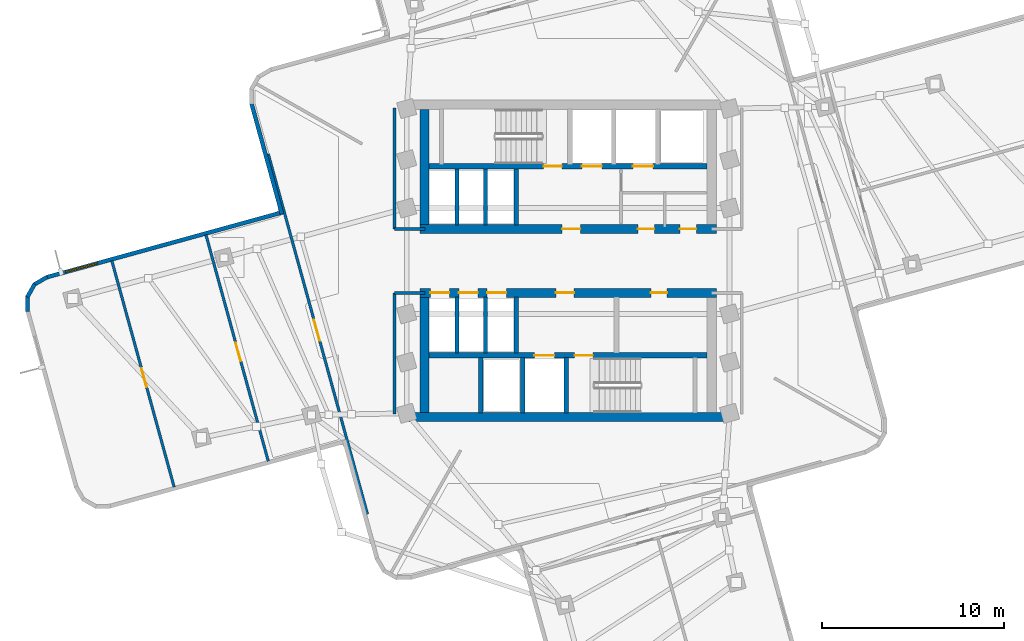
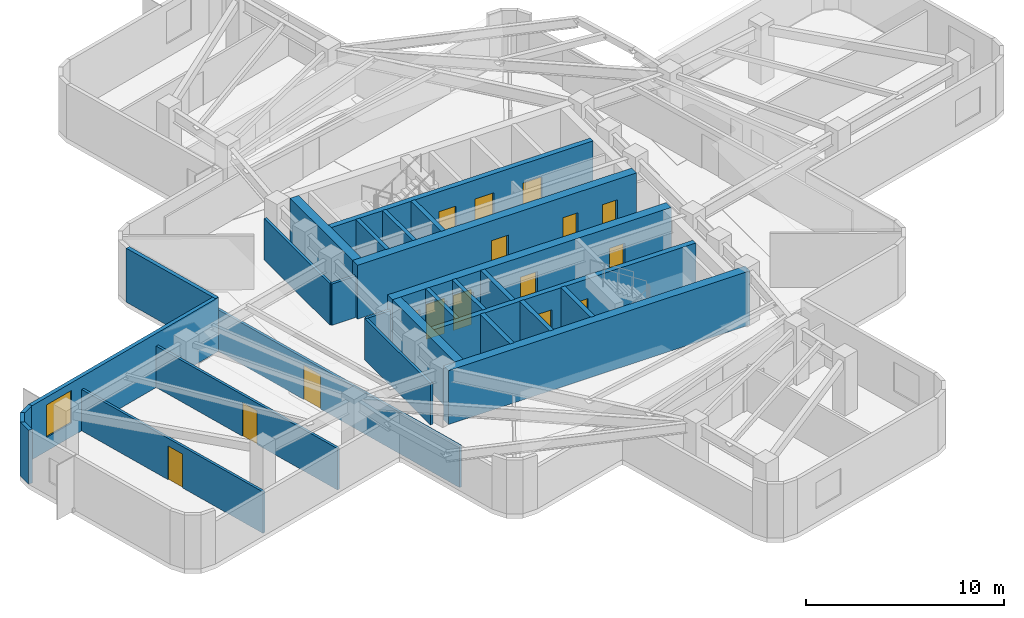
# One storey, part 3 of 8: 28 walls, 16 doors, 1 window, 17 openings.
"""IFC4 building model written with IfcOpenShell, lengths in metres."""

from ifc_helpers import new_model, si_unit, direction, frame, frame_2d, origin, place, context, subcontext, project, spatial, rectangle, extrude, material, layer, layer_set, type_object, element, fill, save


model = new_model("IFC4")

# Units and contexts
model_context = context("Model", 3, precision=1e-05, world=origin(), true_north=direction((0.0, 1.0)))
body_context = subcontext(model_context, "Body", "Model", "MODEL_VIEW")
ifc_project = project(units=[si_unit("LENGTHUNIT", "METRE"), si_unit("AREAUNIT", "SQUARE_METRE"), si_unit("VOLUMEUNIT", "CUBIC_METRE"), si_unit("PLANEANGLEUNIT", "RADIAN"), si_unit("MASSUNIT", "GRAM", prefix="KILO")], contexts=[model_context])

# Site, building, storey
site_placement = place(None, origin())
site = spatial("IfcSite", under=ifc_project, at=site_placement, CompositionType="ELEMENT")
building_placement = place(site_placement, origin())
building = spatial("IfcBuilding", under=site, at=building_placement, Name="Solmarez Civic Tower", CompositionType="ELEMENT")
storey_placement = place(building_placement, frame((0.0, 0.0, 137.8798828125)))
storey = spatial("IfcBuildingStorey", under=building, at=storey_placement, Name="L36", CompositionType="ELEMENT", Elevation=137.8798828125)

# Wall, openings, doors
ifc_material_1 = material(Name="Concrete C60/75", Category="concrete")
ifc_layer_1 = layer(ifc_material_1, 0.5)
ifc_layer_set_1 = layer_set([ifc_layer_1], Name="Concrete C60/75")
wall_type_1 = type_object("IfcWallType", Name="WALL-CORE-500", PredefinedType="SHEAR", material=ifc_layer_set_1)
wall_1_placement = place(storey_placement, frame((8.1201171875, 1.75, 0.0), z_axis=(0.0, 0.0, 1.0), x_axis=(-1.0, 0.0, 0.0)))
wall_1 = element("IfcWall", 1, at=wall_1_placement, inside=storey, type_object=wall_type_1, Name="L36 Split-Core Structural Wall NCW-S-L36", PredefinedType="SHEAR", context=body_context, shape_type="SweptSolid", body=[
    extrude(rectangle(XDim=16.240234375, YDim=0.5, at=frame_2d((8.1201171875, 0.0))), origin(), (0.0, 0.0, 1.0), 3.320068359375),
])
opening_1_placement = place(wall_1_placement, frame((7.449951171875, 0.0, 0.0)))
opening_1 = element("IfcOpeningElement", 2, at=opening_1_placement, cuts=wall_1, Name="Opening D-04", PredefinedType="OPENING", context=body_context, shape_type="SweptSolid", body=[
    extrude(rectangle(XDim=1.0, YDim=2.10009765625, at=frame_2d((0.5, 1.050048828125))), frame((0.0, 0.260009765625, 0.0), z_axis=(0.0, -1.0, 0.0), x_axis=(1.0, 0.0, 0.0)), (0.0, 0.0, 1.0), 0.52001953125),
])
opening_2_placement = place(wall_1_placement, frame((3.39990234375, 0.0, 0.0)))
opening_2 = element("IfcOpeningElement", 3, at=opening_2_placement, cuts=wall_1, Name="Opening D-09", PredefinedType="OPENING", context=body_context, shape_type="SweptSolid", body=[
    extrude(rectangle(XDim=0.89990234375, YDim=2.06005859375, at=frame_2d((0.449951171875, 1.030029296875))), frame((0.0, 0.260009765625, 0.0), z_axis=(0.0, -1.0, 0.0), x_axis=(1.0, 0.0, 0.0)), (0.0, 0.0, 1.0), 0.52001953125),
])
opening_3_placement = place(wall_1_placement, frame((1.10009765625, 0.0, 0.0)))
opening_3 = element("IfcOpeningElement", 4, at=opening_3_placement, cuts=wall_1, Name="Opening D-09", PredefinedType="OPENING", context=body_context, shape_type="SweptSolid", body=[
    extrude(rectangle(XDim=0.89990234375, YDim=2.06005859375, at=frame_2d((0.449951171875, 1.030029296875))), frame((0.0, 0.260009765625, 0.0), z_axis=(0.0, -1.0, 0.0), x_axis=(1.0, 0.0, 0.0)), (0.0, 0.0, 1.0), 0.52001953125),
])
ifc_material_2 = material(Name="Steel-Faced Acoustic Fire Door", Category="steel")
door_type_1 = type_object("IfcDoorType", Name="DOOR-FD60-1000", OperationType="NOTDEFINED", PredefinedType="DOOR", material=ifc_material_2)
door_1_placement = place(opening_1_placement, origin())
door_1 = element("IfcDoor", 5, at=door_1_placement, inside=storey, type_object=door_type_1, Name="L36 North Firefighting Lobby Door", OperationType="SINGLE_SWING_LEFT", OverallHeight=2.10009765625, OverallWidth=1.0, PredefinedType="DOOR", context=body_context, shape_type="SweptSolid", body=[
    extrude(rectangle(XDim=1.0, YDim=2.10009765625, at=frame_2d((0.5, 1.050048828125))), frame((0.0, 0.02490234375, 0.0), z_axis=(0.0, -1.0, 0.0), x_axis=(1.0, 0.0, 0.0)), (0.0, 0.0, 1.0), 0.050048828125),
])
fill(opening_1, door_1)
ifc_material_3 = material(Name="Fire-Rated Service Core Door", Category="wood")
door_type_2 = type_object("IfcDoorType", Name="DOOR-FD60-900", OperationType="NOTDEFINED", PredefinedType="DOOR", material=ifc_material_3)
door_2_placement = place(opening_2_placement, origin())
door_2 = element("IfcDoor", 6, at=door_2_placement, inside=storey, type_object=door_type_2, Name="L36 Core WC Door", OperationType="SINGLE_SWING_LEFT", OverallHeight=2.06005859375, OverallWidth=0.89990234375, PredefinedType="DOOR", context=body_context, shape_type="SweptSolid", body=[
    extrude(rectangle(XDim=0.89990234375, YDim=2.06005859375, at=frame_2d((0.449951171875, 1.030029296875))), frame((0.0, 0.02490234375, 0.0), z_axis=(0.0, -1.0, 0.0), x_axis=(1.0, 0.0, 0.0)), (0.0, 0.0, 1.0), 0.050048828125),
])
fill(opening_2, door_2)
door_3_placement = place(opening_3_placement, origin())
door_3 = element("IfcDoor", 7, at=door_3_placement, inside=storey, type_object=door_type_2, Name="L36 Core CL Door", OperationType="SINGLE_SWING_RIGHT", OverallHeight=2.06005859375, OverallWidth=0.89990234375, PredefinedType="DOOR", context=body_context, shape_type="SweptSolid", body=[
    extrude(rectangle(XDim=0.89990234375, YDim=2.06005859375, at=frame_2d((0.449951171875, 1.030029296875))), frame((0.0, 0.02490234375, 0.0), z_axis=(0.0, -1.0, 0.0), x_axis=(1.0, 0.0, 0.0)), (0.0, 0.0, 1.0), 0.050048828125),
])
fill(opening_3, door_3)

# Walls
wall_2_placement = place(storey_placement, frame((-7.8701171875, 2.0, 0.0), z_axis=(0.0, 0.0, 1.0), x_axis=(0.0, 1.0, 0.0)))
element("IfcWall", 8, at=wall_2_placement, inside=storey, type_object=wall_type_1, Name="L36 Split-Core Structural Wall NCW-W-L36", PredefinedType="SHEAR", context=body_context, shape_type="SweptSolid", body=[
    extrude(rectangle(XDim=6.31005859375, YDim=0.5, at=frame_2d((3.155029296875, 0.0))), origin(), (0.0, 0.0, 1.0), 3.320068359375),
])
wall_3_placement = place(storey_placement, frame((8.780029296875, -8.56005859375, 0.0), z_axis=(0.0, 0.0, 1.0), x_axis=(-1.0, 0.0, 0.0)))
element("IfcWall", 9, at=wall_3_placement, inside=storey, type_object=wall_type_1, Name="L36 Split-Core Structural Wall SCW-S-L36", PredefinedType="SHEAR", context=body_context, shape_type="SweptSolid", body=[
    extrude(rectangle(XDim=17.56005859375, YDim=0.5, at=frame_2d((8.780029296875, 0.0))), origin(), (0.0, 0.0, 1.0), 3.320068359375),
])

# Wall, openings, doors
wall_4_placement = place(storey_placement, frame((-8.1201171875, -1.75, 0.0), z_axis=(0.0, 0.0, 1.0), x_axis=(1.0, 0.0, 0.0)))
wall_4 = element("IfcWall", 10, at=wall_4_placement, inside=storey, type_object=wall_type_1, Name="L36 Split-Core Structural Wall SCW-N-L36", PredefinedType="SHEAR", context=body_context, shape_type="SweptSolid", body=[
    extrude(rectangle(XDim=16.240234375, YDim=0.5, at=frame_2d((8.1201171875, 0.0))), origin(), (0.0, 0.0, 1.0), 3.320068359375),
])
opening_4_placement = place(wall_4_placement, frame((7.449951171875, 0.0, 0.0)))
opening_4 = element("IfcOpeningElement", 11, at=opening_4_placement, cuts=wall_4, Name="Opening D-04", PredefinedType="OPENING", context=body_context, shape_type="SweptSolid", body=[
    extrude(rectangle(XDim=1.0, YDim=2.10009765625, at=frame_2d((0.5, 1.050048828125))), frame((0.0, 0.260009765625, 0.0), z_axis=(0.0, -1.0, 0.0), x_axis=(1.0, 0.0, 0.0)), (0.0, 0.0, 1.0), 0.52001953125),
])
opening_5_placement = place(wall_4_placement, frame((12.64990234375, 0.0, 0.0)))
opening_5 = element("IfcOpeningElement", 12, at=opening_5_placement, cuts=wall_4, Name="Opening D-09", PredefinedType="OPENING", context=body_context, shape_type="SweptSolid", body=[
    extrude(rectangle(XDim=0.89990234375, YDim=2.06005859375, at=frame_2d((0.449951171875, 1.030029296875))), frame((0.0, 0.260009765625, 0.0), z_axis=(0.0, -1.0, 0.0), x_axis=(1.0, 0.0, 0.0)), (0.0, 0.0, 1.0), 0.52001953125),
])
opening_6_placement = place(wall_4_placement, frame((0.56494140625, 0.0, 0.0)))
opening_6 = element("IfcOpeningElement", 13, at=opening_6_placement, cuts=wall_4, Name="Opening LD-01", PredefinedType="OPENING", context=body_context, shape_type="SweptSolid", body=[
    extrude(rectangle(XDim=1.050048828125, YDim=2.14990234375, at=frame_2d((0.52490234375, 1.074951171875))), frame((0.0, 0.260009765625, 0.0), z_axis=(0.0, -1.0, 0.0), x_axis=(1.0, 0.0, 0.0)), (0.0, 0.0, 1.0), 0.52001953125),
])
opening_7_placement = place(wall_4_placement, frame((2.125, 0.0, 0.0)))
opening_7 = element("IfcOpeningElement", 14, at=opening_7_placement, cuts=wall_4, Name="Opening LD-01", PredefinedType="OPENING", context=body_context, shape_type="SweptSolid", body=[
    extrude(rectangle(XDim=1.050048828125, YDim=2.14990234375, at=frame_2d((0.52490234375, 1.074951171875))), frame((0.0, 0.260009765625, 0.0), z_axis=(0.0, -1.0, 0.0), x_axis=(1.0, 0.0, 0.0)), (0.0, 0.0, 1.0), 0.52001953125),
])
opening_8_placement = place(wall_4_placement, frame((3.68505859375, 0.0, 0.0)))
opening_8 = element("IfcOpeningElement", 15, at=opening_8_placement, cuts=wall_4, Name="Opening LD-01", PredefinedType="OPENING", context=body_context, shape_type="SweptSolid", body=[
    extrude(rectangle(XDim=1.050048828125, YDim=2.14990234375, at=frame_2d((0.52490234375, 1.074951171875))), frame((0.0, 0.260009765625, 0.0), z_axis=(0.0, -1.0, 0.0), x_axis=(1.0, 0.0, 0.0)), (0.0, 0.0, 1.0), 0.52001953125),
])
door_4_placement = place(opening_4_placement, origin())
door_4 = element("IfcDoor", 16, at=door_4_placement, inside=storey, type_object=door_type_1, Name="L36 South Firefighting Lobby Door", OperationType="SINGLE_SWING_RIGHT", OverallHeight=2.10009765625, OverallWidth=1.0, PredefinedType="DOOR", context=body_context, shape_type="SweptSolid", body=[
    extrude(rectangle(XDim=1.0, YDim=2.10009765625, at=frame_2d((0.5, 1.050048828125))), frame((0.0, 0.02490234375, 0.0), z_axis=(0.0, -1.0, 0.0), x_axis=(1.0, 0.0, 0.0)), (0.0, 0.0, 1.0), 0.050048828125),
])
fill(opening_4, door_4)
door_5_placement = place(opening_5_placement, origin())
door_5 = element("IfcDoor", 17, at=door_5_placement, inside=storey, type_object=door_type_2, Name="L36 Freed Hoistway Mailroom Door", OperationType="SINGLE_SWING_LEFT", OverallHeight=2.06005859375, OverallWidth=0.89990234375, PredefinedType="DOOR", context=body_context, shape_type="SweptSolid", body=[
    extrude(rectangle(XDim=0.89990234375, YDim=2.06005859375, at=frame_2d((0.449951171875, 1.030029296875))), frame((0.0, 0.02490234375, 0.0), z_axis=(0.0, -1.0, 0.0), x_axis=(1.0, 0.0, 0.0)), (0.0, 0.0, 1.0), 0.050048828125),
])
fill(opening_5, door_5)
ifc_material_4 = material(Name="Bronze Passenger Lift Landing Sliding Door", Category="aluminium")
door_type_3 = type_object("IfcDoorType", Name="DOOR-LD-PAX-1050", OperationType="DOUBLE_DOOR_SLIDING", PredefinedType="DOOR", material=ifc_material_4)
door_6_placement = place(opening_6_placement, origin())
door_6 = element("IfcDoor", 18, at=door_6_placement, inside=storey, type_object=door_type_3, Name="L36 Mid-Rise Lift Landing Door PL-M1", OperationType="DOUBLE_DOOR_SLIDING", OverallHeight=2.14990234375, OverallWidth=1.050048828125, PredefinedType="DOOR", context=body_context, shape_type="SweptSolid", body=[
    extrude(rectangle(XDim=1.050048828125, YDim=2.14990234375, at=frame_2d((0.52490234375, 1.074951171875))), frame((0.0, 0.02490234375, 0.0), z_axis=(0.0, -1.0, 0.0), x_axis=(1.0, 0.0, 0.0)), (0.0, 0.0, 1.0), 0.050048828125),
])
fill(opening_6, door_6)
door_7_placement = place(opening_7_placement, origin())
door_7 = element("IfcDoor", 19, at=door_7_placement, inside=storey, type_object=door_type_3, Name="L36 Mid-Rise Lift Landing Door PL-M2", OperationType="DOUBLE_DOOR_SLIDING", OverallHeight=2.14990234375, OverallWidth=1.050048828125, PredefinedType="DOOR", context=body_context, shape_type="SweptSolid", body=[
    extrude(rectangle(XDim=1.050048828125, YDim=2.14990234375, at=frame_2d((0.52490234375, 1.074951171875))), frame((0.0, 0.02490234375, 0.0), z_axis=(0.0, -1.0, 0.0), x_axis=(1.0, 0.0, 0.0)), (0.0, 0.0, 1.0), 0.050048828125),
])
fill(opening_7, door_7)
door_8_placement = place(opening_8_placement, origin())
door_8 = element("IfcDoor", 20, at=door_8_placement, inside=storey, type_object=door_type_3, Name="L36 Mid-Rise Lift Landing Door PL-M3", OperationType="DOUBLE_DOOR_SLIDING", OverallHeight=2.14990234375, OverallWidth=1.050048828125, PredefinedType="DOOR", context=body_context, shape_type="SweptSolid", body=[
    extrude(rectangle(XDim=1.050048828125, YDim=2.14990234375, at=frame_2d((0.52490234375, 1.074951171875))), frame((0.0, 0.02490234375, 0.0), z_axis=(0.0, -1.0, 0.0), x_axis=(1.0, 0.0, 0.0)), (0.0, 0.0, 1.0), 0.050048828125),
])
fill(opening_8, door_8)

# Walls
wall_5_placement = place(storey_placement, frame((-7.8701171875, -8.31005859375, 0.0), z_axis=(0.0, 0.0, 1.0), x_axis=(0.0, 1.0, 0.0)))
element("IfcWall", 21, at=wall_5_placement, inside=storey, type_object=wall_type_1, Name="L36 Split-Core Structural Wall SCW-W-L36", PredefinedType="SHEAR", context=body_context, shape_type="SweptSolid", body=[
    extrude(rectangle(XDim=6.31005859375, YDim=0.5, at=frame_2d((3.155029296875, 0.0))), origin(), (0.0, 0.0, 1.0), 3.320068359375),
])
ifc_material_5 = material(Name="Precast concrete C40/50", Category="concrete")
ifc_layer_2 = layer(ifc_material_5, 0.219970703125)
ifc_layer_set_2 = layer_set([ifc_layer_2], Name="Precast concrete C40/50")
wall_type_2 = type_object("IfcWallType", Name="WALL-EXT-220", PredefinedType="SOLIDWALL", material=ifc_layer_set_2)
wall_6_placement = place(storey_placement, frame((-29.6259765625, -2.764892578125, 0.0), z_axis=(0.0, 0.0, 1.0), x_axis=(-0.006147424822, 0.999981104406, 0.0)))
element("IfcWall", 22, at=wall_6_placement, inside=storey, type_object=wall_type_2, Name="L36 Exterior Precast Wall 7", PredefinedType="SOLIDWALL", context=body_context, shape_type="SweptSolid", body=[
    extrude(rectangle(XDim=0.833984375, YDim=0.219970703125, at=frame_2d((0.4169921875, 0.0))), origin(), (0.0, 0.0, 1.0), 3.320068359375),
])
wall_7_placement = place(storey_placement, frame((-29.64306640625, -1.97802734375, 0.0), z_axis=(0.0, 0.0, 1.0), x_axis=(0.492057256668, 0.87056283872, 0.0)))
element("IfcWall", 23, at=wall_7_placement, inside=storey, type_object=wall_type_2, Name="L36 Exterior Precast Wall 8", PredefinedType="SOLIDWALL", context=body_context, shape_type="SweptSolid", body=[
    extrude(rectangle(XDim=0.819091796875, YDim=0.219970703125, at=frame_2d((0.40966796875, 0.0))), origin(), (0.0, 0.0, 1.0), 3.320068359375),
])
wall_8_placement = place(storey_placement, frame((-29.27392578125, -1.300048828125, 0.0), z_axis=(0.0, 0.0, 1.0), x_axis=(0.862451814289, 0.506139178517, 0.0)))
element("IfcWall", 24, at=wall_8_placement, inside=storey, type_object=wall_type_2, Name="L36 Exterior Precast Wall 9", PredefinedType="SOLIDWALL", context=body_context, shape_type="SweptSolid", body=[
    extrude(rectangle(XDim=0.8359375, YDim=0.219970703125, at=frame_2d((0.41796875, 0.0))), origin(), (0.0, 0.0, 1.0), 3.320068359375),
])

# Wall, opening, window
wall_9_placement = place(storey_placement, frame((-28.59912109375, -0.89697265625, 0.0), z_axis=(0.0, 0.0, 1.0), x_axis=(0.964113270695, 0.265491245185, 0.0)))
wall_9 = element("IfcWall", 25, at=wall_9_placement, inside=storey, type_object=wall_type_2, Name="L36 Exterior Precast Wall 10", PredefinedType="SOLIDWALL", context=body_context, shape_type="SweptSolid", body=[
    extrude(rectangle(XDim=13.4580078125, YDim=0.219970703125, at=frame_2d((6.72900390625, 0.0))), origin(), (0.0, 0.0, 1.0), 3.320068359375),
])
opening_9_placement = place(wall_9_placement, frame((1.10009765625, 0.0, 0.85009765625)))
opening_9 = element("IfcOpeningElement", 26, at=opening_9_placement, cuts=wall_9, Name="Opening W-04", PredefinedType="OPENING", context=body_context, shape_type="SweptSolid", body=[
    extrude(rectangle(XDim=1.800048828125, YDim=2.0, at=frame_2d((0.89990234375, 1.0))), frame((0.0, 0.119873046875, 0.0), z_axis=(0.0, -1.0, 0.0), x_axis=(1.0, 0.0, 0.0)), (0.0, 0.0, 1.0), 0.239990234375),
])
ifc_material_6 = material(Name="Solar Control Bronze-Tinted Insulating Glass", Category="glass")
window_type = type_object("IfcWindowType", Name="WIN-1800X2000", PartitioningType="SINGLE_PANEL", PredefinedType="WINDOW", material=ifc_material_6)
window_placement = place(opening_9_placement, origin())
window = element("IfcWindow", 27, at=window_placement, inside=storey, type_object=window_type, Name="L36 Exterior Facade Window 10", OverallHeight=2.0, OverallWidth=1.800048828125, PartitioningType="SINGLE_PANEL", PredefinedType="WINDOW", context=body_context, shape_type="SweptSolid", body=[
    extrude(rectangle(XDim=1.800048828125, YDim=2.0, at=frame_2d((0.89990234375, 1.0))), frame((0.0, 0.030029296875, 0.0), z_axis=(0.0, -1.0, 0.0), x_axis=(1.0, 0.0, 0.0)), (0.0, 0.0, 1.0), 0.06005859375),
])
fill(opening_9, window)

# Walls
wall_10_placement = place(storey_placement, frame((-15.68603515625, 2.568115234375, 0.0), z_axis=(0.0, 0.0, 1.0), x_axis=(-0.265558779784, 0.964094670911, 0.0)))
element("IfcWall", 28, at=wall_10_placement, inside=storey, type_object=wall_type_2, Name="L36 Exterior Precast Wall 13", PredefinedType="SOLIDWALL", context=body_context, shape_type="SweptSolid", body=[
    extrude(rectangle(XDim=6.318603515625, YDim=0.219970703125, at=frame_2d((3.1591796875, 0.0))), origin(), (0.0, 0.0, 1.0), 3.320068359375),
])
ifc_material_7 = material(Name="Gypsum Board Acoustic Steel-Stud Partition", Category="steel")
ifc_layer_3 = layer(ifc_material_7, 0.14990234375)
ifc_layer_set_3 = layer_set([ifc_layer_3], Name="Gypsum Board Acoustic Steel-Stud Partition")
wall_type_3 = type_object("IfcWallType", Name="WALL-INT-FIRE-150", PredefinedType="PARTITIONING", material=ifc_layer_set_3)
wall_11_placement = place(storey_placement, frame((-9.52001953125, 1.75, 0.0), z_axis=(0.0, 0.0, 1.0), x_axis=(0.0, 1.0, 0.0)))
element("IfcWall", 29, at=wall_11_placement, inside=storey, type_object=wall_type_3, Name="L36 Interior Partition CHW-L36-WN1", PredefinedType="PARTITIONING", context=body_context, shape_type="SweptSolid", body=[
    extrude(rectangle(XDim=6.6298828125, YDim=0.14990234375, at=frame_2d((3.31494140625, 0.0))), origin(), (0.0, 0.0, 1.0), 2.550048828125),
])
wall_12_placement = place(storey_placement, frame((-7.85009765625, 1.75, 0.0), z_axis=(0.0, 0.0, 1.0), x_axis=(-1.0, 0.0, 0.0)))
element("IfcWall", 30, at=wall_12_placement, inside=storey, type_object=wall_type_3, Name="L36 Interior Partition CHW-L36-WN3", PredefinedType="PARTITIONING", context=body_context, shape_type="SweptSolid", body=[
    extrude(rectangle(XDim=1.669921875, YDim=0.14990234375, at=frame_2d((0.8349609375, 0.0))), origin(), (0.0, 0.0, 1.0), 2.550048828125),
])
wall_13_placement = place(storey_placement, frame((-9.52001953125, -8.3798828125, 0.0), z_axis=(0.0, 0.0, 1.0), x_axis=(0.0, 1.0, 0.0)))
element("IfcWall", 31, at=wall_13_placement, inside=storey, type_object=wall_type_3, Name="L36 Interior Partition CHW-L36-WS1", PredefinedType="PARTITIONING", context=body_context, shape_type="SweptSolid", body=[
    extrude(rectangle(XDim=6.6298828125, YDim=0.14990234375, at=frame_2d((3.31494140625, 0.0))), origin(), (0.0, 0.0, 1.0), 2.550048828125),
])
wall_14_placement = place(storey_placement, frame((-7.85009765625, -1.75, 0.0), z_axis=(0.0, 0.0, 1.0), x_axis=(-1.0, 0.0, 0.0)))
element("IfcWall", 32, at=wall_14_placement, inside=storey, type_object=wall_type_3, Name="L36 Interior Partition CHW-L36-WS3", PredefinedType="PARTITIONING", context=body_context, shape_type="SweptSolid", body=[
    extrude(rectangle(XDim=1.669921875, YDim=0.14990234375, at=frame_2d((0.8349609375, 0.0))), origin(), (0.0, 0.0, 1.0), 2.550048828125),
])

# Wall, opening, door
ifc_layer_4 = layer(ifc_material_7, 0.14501953125)
ifc_layer_set_4 = layer_set([ifc_layer_4], Name="Gypsum Board Acoustic Steel-Stud Partition")
wall_type_4 = type_object("IfcWallType", Name="WALL-INT-PART-150", PredefinedType="PARTITIONING", material=ifc_layer_set_4)
wall_15_placement = place(storey_placement, frame((-10.9990234375, -13.87890625, 0.0), z_axis=(0.0, 0.0, 1.0), x_axis=(-0.26558288107, 0.964088031915, 0.0)))
wall_15 = element("IfcWall", 33, at=wall_15_placement, inside=storey, type_object=wall_type_4, Name="L36 Interior Partition PT-L36-W-ENT", PredefinedType="PARTITIONING", context=body_context, shape_type="SweptSolid", body=[
    extrude(rectangle(XDim=20.479248046875, YDim=0.14501953125, at=frame_2d((10.23974609375, 0.0))), origin(), (0.0, 0.0, 1.0), 2.550048828125),
])
opening_10_placement = place(wall_15_placement, frame((9.860107421875, 0.0, 0.0)))
opening_10 = element("IfcOpeningElement", 34, at=opening_10_placement, cuts=wall_15, Name="Opening D-11", PredefinedType="OPENING", context=body_context, shape_type="SweptSolid", body=[
    extrude(rectangle(XDim=1.199951171875, YDim=2.10009765625, at=frame_2d((0.60009765625, 1.050048828125))), frame((0.0, 0.08251953125, 0.0), z_axis=(0.0, -1.0, 0.0), x_axis=(1.0, 0.0, 0.0)), (0.0, 0.0, 1.0), 0.1650390625),
])
ifc_material_8 = material(Name="Glazed-Vision Acoustic Chamber Door", Category="wood")
door_type_4 = type_object("IfcDoorType", Name="DOOR-INT-1200", OperationType="NOTDEFINED", PredefinedType="DOOR", material=ifc_material_8)
door_9_placement = place(opening_10_placement, origin())
door_9 = element("IfcDoor", 35, at=door_9_placement, inside=storey, type_object=door_type_4, Name="L36 Delegates Sitting Lounge First West Door", OperationType="SINGLE_SWING_LEFT", OverallHeight=2.10009765625, OverallWidth=1.199951171875, PredefinedType="DOOR", context=body_context, shape_type="SweptSolid", body=[
    extrude(rectangle(XDim=1.199951171875, YDim=2.10009765625, at=frame_2d((0.60009765625, 1.050048828125))), frame((0.0, 0.02490234375, 0.0), z_axis=(0.0, -1.0, 0.0), x_axis=(1.0, 0.0, 0.0)), (0.0, 0.0, 1.0), 0.050048828125),
])
fill(opening_10, door_9)

wall_16_placement = place(storey_placement, frame((-16.43603515625, -10.97412109375, 0.0), z_axis=(0.0, 0.0, 1.0), x_axis=(-0.265498602623, 0.964111244621, 0.0)))
wall_16 = element("IfcWall", 36, at=wall_16_placement, inside=storey, type_object=wall_type_4, Name="L36 Interior Partition PT-L36-W-SC1", PredefinedType="PARTITIONING", context=body_context, shape_type="SweptSolid", body=[
    extrude(rectangle(XDim=12.8701171875, YDim=0.14501953125, at=frame_2d((6.43505859375, 0.0))), origin(), (0.0, 0.0, 1.0), 2.550048828125),
])
opening_11_placement = place(wall_16_placement, frame((5.68994140625, 0.0, 0.0)))
opening_11 = element("IfcOpeningElement", 37, at=opening_11_placement, cuts=wall_16, Name="Opening D-13", PredefinedType="OPENING", context=body_context, shape_type="SweptSolid", body=[
    extrude(rectangle(XDim=1.050048828125, YDim=2.080078125, at=frame_2d((0.52490234375, 1.0400390625))), frame((0.0, 0.08251953125, 0.0), z_axis=(0.0, -1.0, 0.0), x_axis=(1.0, 0.0, 0.0)), (0.0, 0.0, 1.0), 0.1650390625),
])
ifc_material_9 = material(Name="Timber Directorate Office Door", Category="wood")
door_type_5 = type_object("IfcDoorType", Name="DOOR-INT-1050", OperationType="NOTDEFINED", PredefinedType="DOOR", material=ifc_material_9)
door_10_placement = place(opening_11_placement, origin())
door_10 = element("IfcDoor", 38, at=door_10_placement, inside=storey, type_object=door_type_5, Name="L36 Public Reception Room West Door", OperationType="SINGLE_SWING_LEFT", OverallHeight=2.080078125, OverallWidth=1.050048828125, PredefinedType="DOOR", context=body_context, shape_type="SweptSolid", body=[
    extrude(rectangle(XDim=1.050048828125, YDim=2.080078125, at=frame_2d((0.52490234375, 1.0400390625))), frame((0.0, 0.02490234375, 0.0), z_axis=(0.0, -1.0, 0.0), x_axis=(1.0, 0.0, 0.0)), (0.0, 0.0, 1.0), 0.050048828125),
])
fill(opening_11, door_10)

wall_17_placement = place(storey_placement, frame((-21.593994140625, -12.39501953125, 0.0), z_axis=(0.0, 0.0, 1.0), x_axis=(-0.265484036431, 0.964115255766, 0.0)))
wall_17 = element("IfcWall", 39, at=wall_17_placement, inside=storey, type_object=wall_type_4, Name="L36 Interior Partition PT-L36-W-SC2", PredefinedType="PARTITIONING", context=body_context, shape_type="SweptSolid", body=[
    extrude(rectangle(XDim=12.870849609375, YDim=0.14501953125, at=frame_2d((6.435546875, 0.0))), origin(), (0.0, 0.0, 1.0), 2.550048828125),
])
opening_12_placement = place(wall_17_placement, frame((5.68896484375, 0.0, 0.0)))
opening_12 = element("IfcOpeningElement", 40, at=opening_12_placement, cuts=wall_17, Name="Opening D-13", PredefinedType="OPENING", context=body_context, shape_type="SweptSolid", body=[
    extrude(rectangle(XDim=1.050048828125, YDim=2.080078125, at=frame_2d((0.52490234375, 1.0400390625))), frame((0.0, 0.08251953125, 0.0), z_axis=(0.0, -1.0, 0.0), x_axis=(1.0, 0.0, 0.0)), (0.0, 0.0, 1.0), 0.1650390625),
])
door_11_placement = place(opening_12_placement, origin())
door_11 = element("IfcDoor", 41, at=door_11_placement, inside=storey, type_object=door_type_5, Name="L36 Civic Training Classroom West Door", OperationType="SINGLE_SWING_RIGHT", OverallHeight=2.080078125, OverallWidth=1.050048828125, PredefinedType="DOOR", context=body_context, shape_type="SweptSolid", body=[
    extrude(rectangle(XDim=1.050048828125, YDim=2.080078125, at=frame_2d((0.52490234375, 1.0400390625))), frame((0.0, 0.02490234375, 0.0), z_axis=(0.0, -1.0, 0.0), x_axis=(1.0, 0.0, 0.0)), (0.0, 0.0, 1.0), 0.050048828125),
])
fill(opening_12, door_11)

# Wall, openings, doors
ifc_material_10 = material(Name="Concrete C50/60", Category="concrete")
ifc_layer_5 = layer(ifc_material_10, 0.300048828125)
ifc_layer_set_5 = layer_set([ifc_layer_5], Name="Concrete C50/60")
wall_type_5 = type_object("IfcWallType", Name="WALL-STR-300", PredefinedType="SOLIDWALL", material=ifc_layer_set_5)
wall_18_placement = place(storey_placement, frame((7.6201171875, 5.179931640625, 0.0), z_axis=(0.0, 0.0, 1.0), x_axis=(-1.0, 0.0, 0.0)))
wall_18 = element("IfcWall", 42, at=wall_18_placement, inside=storey, type_object=wall_type_5, Name="L36 Split-Core Structural Wall NCW-M-L36", PredefinedType="SOLIDWALL", context=body_context, shape_type="SweptSolid", body=[
    extrude(rectangle(XDim=15.240234375, YDim=0.300048828125, at=frame_2d((7.6201171875, 0.0))), origin(), (0.0, 0.0, 1.0), 3.320068359375),
])
opening_13_placement = place(wall_18_placement, frame((5.77001953125, 0.0, 0.0)))
opening_13 = element("IfcOpeningElement", 43, at=opening_13_placement, cuts=wall_18, Name="Opening LD-02", PredefinedType="OPENING", context=body_context, shape_type="SweptSolid", body=[
    extrude(rectangle(XDim=1.10009765625, YDim=2.14990234375, at=frame_2d((0.550048828125, 1.074951171875))), frame((0.0, 0.159912109375, 0.0), z_axis=(0.0, -1.0, 0.0), x_axis=(1.0, 0.0, 0.0)), (0.0, 0.0, 1.0), 0.320068359375),
])
opening_14_placement = place(wall_18_placement, frame((2.969970703125, 0.0, 0.0)))
opening_14 = element("IfcOpeningElement", 44, at=opening_14_placement, cuts=wall_18, Name="Opening LD-03", PredefinedType="OPENING", context=body_context, shape_type="SweptSolid", body=[
    extrude(rectangle(XDim=1.10009765625, YDim=2.14990234375, at=frame_2d((0.550048828125, 1.074951171875))), frame((0.0, 0.159912109375, 0.0), z_axis=(0.0, -1.0, 0.0), x_axis=(1.0, 0.0, 0.0)), (0.0, 0.0, 1.0), 0.320068359375),
])
opening_15_placement = place(wall_18_placement, frame((7.969970703125, 0.0, 0.0)))
opening_15 = element("IfcOpeningElement", 45, at=opening_15_placement, cuts=wall_18, Name="Opening D-05", PredefinedType="OPENING", context=body_context, shape_type="SweptSolid", body=[
    extrude(rectangle(XDim=1.0, YDim=2.10009765625, at=frame_2d((0.5, 1.050048828125))), frame((0.0, 0.159912109375, 0.0), z_axis=(0.0, -1.0, 0.0), x_axis=(1.0, 0.0, 0.0)), (0.0, 0.0, 1.0), 0.320068359375),
])
ifc_material_11 = material(Name="Fire-Rated Stairwell Exit Door", Category="wood")
door_type_6 = type_object("IfcDoorType", Name="DOOR-FD90-1000", OperationType="NOTDEFINED", PredefinedType="DOOR", material=ifc_material_11)
door_12_placement = place(opening_15_placement, origin())
door_12 = element("IfcDoor", 46, at=door_12_placement, inside=storey, type_object=door_type_6, Name="L36 North Exit Stair Door ST-1", OperationType="SINGLE_SWING_LEFT", OverallHeight=2.10009765625, OverallWidth=1.0, PredefinedType="DOOR", context=body_context, shape_type="SweptSolid", body=[
    extrude(rectangle(XDim=1.0, YDim=2.10009765625, at=frame_2d((0.5, 1.050048828125))), frame((0.0, 0.02490234375, 0.0), z_axis=(0.0, -1.0, 0.0), x_axis=(1.0, 0.0, 0.0)), (0.0, 0.0, 1.0), 0.050048828125),
])
fill(opening_15, door_12)
ifc_material_12 = material(Name="Stainless Firefighting Lift Landing Sliding Door", Category="aluminium")
door_type_7 = type_object("IfcDoorType", Name="DOOR-LD-FF-1100", OperationType="DOUBLE_DOOR_SLIDING", PredefinedType="DOOR", material=ifc_material_12)
door_13_placement = place(opening_13_placement, origin())
door_13 = element("IfcDoor", 47, at=door_13_placement, inside=storey, type_object=door_type_7, Name="L36 Firefighting Lift Landing Door FFL-1", OperationType="DOUBLE_DOOR_SLIDING", OverallHeight=2.14990234375, OverallWidth=1.10009765625, PredefinedType="DOOR", context=body_context, shape_type="SweptSolid", body=[
    extrude(rectangle(XDim=1.10009765625, YDim=2.14990234375, at=frame_2d((0.550048828125, 1.074951171875))), frame((0.0, 0.02490234375, 0.0), z_axis=(0.0, -1.0, 0.0), x_axis=(1.0, 0.0, 0.0)), (0.0, 0.0, 1.0), 0.050048828125),
])
fill(opening_13, door_13)
ifc_material_13 = material(Name="Stainless Stretcher Lift Landing Sliding Door", Category="aluminium")
door_type_8 = type_object("IfcDoorType", Name="DOOR-LD-SV-1100", OperationType="DOUBLE_DOOR_SLIDING", PredefinedType="DOOR", material=ifc_material_13)
door_14_placement = place(opening_14_placement, origin())
door_14 = element("IfcDoor", 48, at=door_14_placement, inside=storey, type_object=door_type_8, Name="L36 Service Stretcher Lift Landing Door SVL-1", OperationType="DOUBLE_DOOR_SLIDING", OverallHeight=2.14990234375, OverallWidth=1.10009765625, PredefinedType="DOOR", context=body_context, shape_type="SweptSolid", body=[
    extrude(rectangle(XDim=1.10009765625, YDim=2.14990234375, at=frame_2d((0.550048828125, 1.074951171875))), frame((0.0, 0.02490234375, 0.0), z_axis=(0.0, -1.0, 0.0), x_axis=(1.0, 0.0, 0.0)), (0.0, 0.0, 1.0), 0.050048828125),
])
fill(opening_14, door_14)

wall_19_placement = place(storey_placement, frame((-7.6201171875, -5.179931640625, 0.0), z_axis=(0.0, 0.0, 1.0), x_axis=(1.0, 0.0, 0.0)))
wall_19 = element("IfcWall", 49, at=wall_19_placement, inside=storey, type_object=wall_type_5, Name="L36 Split-Core Structural Wall SCW-M-L36", PredefinedType="SOLIDWALL", context=body_context, shape_type="SweptSolid", body=[
    extrude(rectangle(XDim=15.240234375, YDim=0.300048828125, at=frame_2d((7.6201171875, 0.0))), origin(), (0.0, 0.0, 1.0), 3.320068359375),
])
opening_16_placement = place(wall_19_placement, frame((5.77001953125, 0.0, 0.0)))
opening_16 = element("IfcOpeningElement", 50, at=opening_16_placement, cuts=wall_19, Name="Opening LD-02", PredefinedType="OPENING", context=body_context, shape_type="SweptSolid", body=[
    extrude(rectangle(XDim=1.10009765625, YDim=2.14990234375, at=frame_2d((0.550048828125, 1.074951171875))), frame((0.0, 0.159912109375, 0.0), z_axis=(0.0, -1.0, 0.0), x_axis=(1.0, 0.0, 0.0)), (0.0, 0.0, 1.0), 0.320068359375),
])
opening_17_placement = place(wall_19_placement, frame((7.969970703125, 0.0, 0.0)))
opening_17 = element("IfcOpeningElement", 51, at=opening_17_placement, cuts=wall_19, Name="Opening D-05", PredefinedType="OPENING", context=body_context, shape_type="SweptSolid", body=[
    extrude(rectangle(XDim=1.0, YDim=2.10009765625, at=frame_2d((0.5, 1.050048828125))), frame((0.0, 0.159912109375, 0.0), z_axis=(0.0, -1.0, 0.0), x_axis=(1.0, 0.0, 0.0)), (0.0, 0.0, 1.0), 0.320068359375),
])
door_15_placement = place(opening_17_placement, origin())
door_15 = element("IfcDoor", 52, at=door_15_placement, inside=storey, type_object=door_type_6, Name="L36 South Exit Stair Door ST-2", OperationType="SINGLE_SWING_RIGHT", OverallHeight=2.10009765625, OverallWidth=1.0, PredefinedType="DOOR", context=body_context, shape_type="SweptSolid", body=[
    extrude(rectangle(XDim=1.0, YDim=2.10009765625, at=frame_2d((0.5, 1.050048828125))), frame((0.0, 0.02490234375, 0.0), z_axis=(0.0, -1.0, 0.0), x_axis=(1.0, 0.0, 0.0)), (0.0, 0.0, 1.0), 0.050048828125),
])
fill(opening_17, door_15)
door_16_placement = place(opening_16_placement, origin())
door_16 = element("IfcDoor", 53, at=door_16_placement, inside=storey, type_object=door_type_7, Name="L36 Firefighting Lift Landing Door FFL-2", OperationType="DOUBLE_DOOR_SLIDING", OverallHeight=2.14990234375, OverallWidth=1.10009765625, PredefinedType="DOOR", context=body_context, shape_type="SweptSolid", body=[
    extrude(rectangle(XDim=1.10009765625, YDim=2.14990234375, at=frame_2d((0.550048828125, 1.074951171875))), frame((0.0, 0.02490234375, 0.0), z_axis=(0.0, -1.0, 0.0), x_axis=(1.0, 0.0, 0.0)), (0.0, 0.0, 1.0), 0.050048828125),
])
fill(opening_16, door_16)

# Walls
wall_20_placement = place(storey_placement, frame((-2.85009765625, 1.97998046875, 0.0), z_axis=(0.0, 0.0, 1.0), x_axis=(0.0, 1.0, 0.0)))
element("IfcWall", 54, at=wall_20_placement, inside=storey, type_object=wall_type_5, Name="L36 Split-Core Structural Wall SHW-NL1-L36", PredefinedType="SOLIDWALL", context=body_context, shape_type="SweptSolid", body=[
    extrude(rectangle(XDim=3.070068359375, YDim=0.25, at=frame_2d((1.53515625, 0.0))), origin(), (0.0, 0.0, 1.0), 3.320068359375),
])
for number, where, z_axis, x_axis, name in (
    (55, (-0.10009765625, -8.340087890625, 0.0), (0.0, 0.0, 1.0), (0.0, 1.0, 0.0), "L36 Split-Core Structural Wall SHW-S1-L36"),
    (56, (-2.5, -8.340087890625, 0.0), (0.0, 0.0, 1.0), (0.0, 1.0, 0.0), "L36 Split-Core Structural Wall SHW-S2-L36"),
    (57, (-4.800048828125, -8.340087890625, 0.0), (0.0, 0.0, 1.0), (0.0, 1.0, 0.0), "L36 Split-Core Structural Wall SHW-S3-L36"),
):
    element("IfcWall", number, at=place(storey_placement, frame(where, z_axis=z_axis, x_axis=x_axis)), inside=storey, type_object=wall_type_5, Name=name, PredefinedType="SOLIDWALL", context=body_context, shape_type="SweptSolid", body=[
        extrude(rectangle(XDim=3.0400390625, YDim=0.25, at=frame_2d((1.52001953125, 0.0))), origin(), (0.0, 0.0, 1.0), 3.320068359375),
    ])
wall_21_placement = place(storey_placement, frame((-2.85009765625, -5.050048828125, 0.0), z_axis=(0.0, 0.0, 1.0), x_axis=(0.0, 1.0, 0.0)))
element("IfcWall", 58, at=wall_21_placement, inside=storey, type_object=wall_type_5, Name="L36 Split-Core Structural Wall SHW-SL1-L36", PredefinedType="SOLIDWALL", context=body_context, shape_type="SweptSolid", body=[
    extrude(rectangle(XDim=3.070068359375, YDim=0.25, at=frame_2d((1.53515625, 0.0))), origin(), (0.0, 0.0, 1.0), 3.320068359375),
])
for number, where, z_axis, x_axis, name in (
    (59, (-6.080078125, 1.97998046875, 0.0), (0.0, 0.0, 1.0), (0.0, 1.0, 0.0), "L36 Split-Core Structural Wall SHW-PLH-L36-1"),
    (60, (-4.52001953125, 1.97998046875, 0.0), (0.0, 0.0, 1.0), (0.0, 1.0, 0.0), "L36 Split-Core Structural Wall SHW-PLH-L36-2"),
    (61, (-6.080078125, -5.050048828125, 0.0), (0.0, 0.0, 1.0), (0.0, 1.0, 0.0), "L36 Split-Core Structural Wall SHW-PLM-L36-1"),
    (62, (-4.52001953125, -5.050048828125, 0.0), (0.0, 0.0, 1.0), (0.0, 1.0, 0.0), "L36 Split-Core Structural Wall SHW-PLM-L36-2"),
):
    element("IfcWall", number, at=place(storey_placement, frame(where, z_axis=z_axis, x_axis=x_axis)), inside=storey, type_object=wall_type_5, Name=name, PredefinedType="SOLIDWALL", context=body_context, shape_type="SweptSolid", body=[
        extrude(rectangle(XDim=3.070068359375, YDim=0.219970703125, at=frame_2d((1.53515625, 0.0))), origin(), (0.0, 0.0, 1.0), 3.320068359375),
    ])

save(model, "model.ifc")
